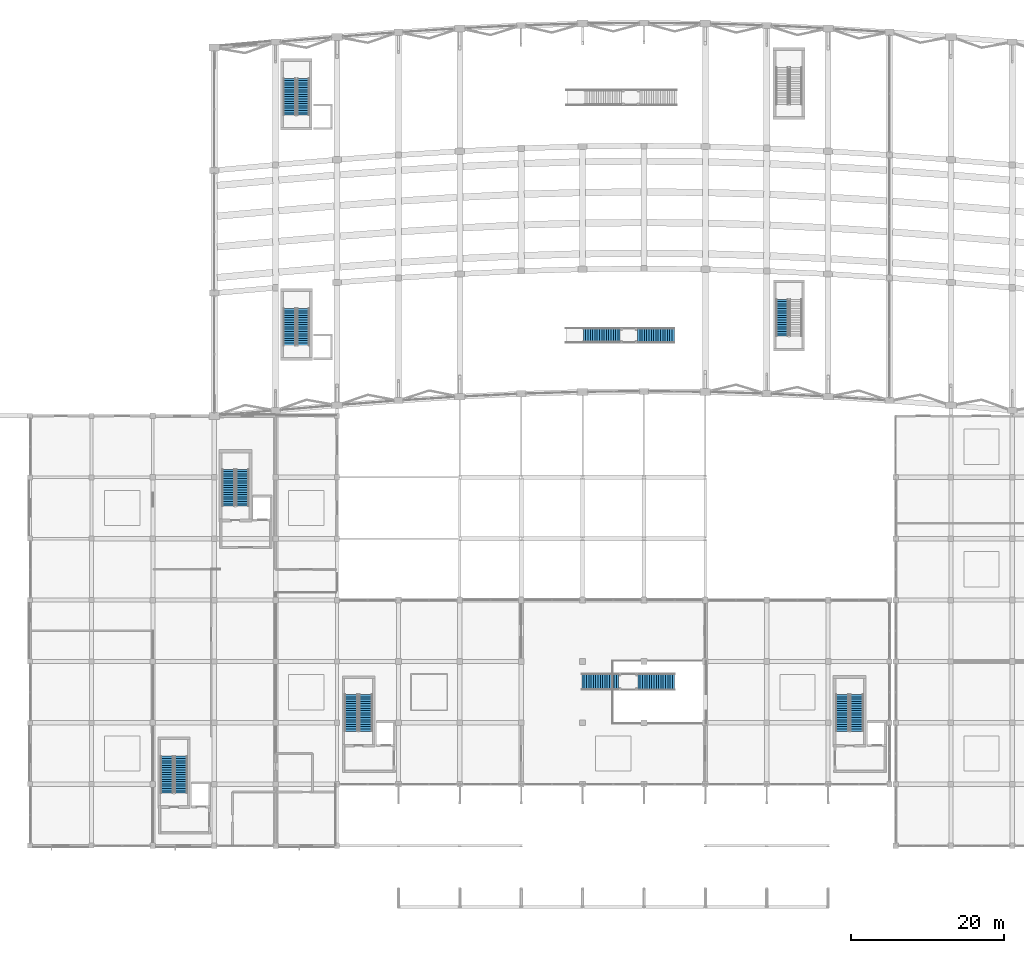
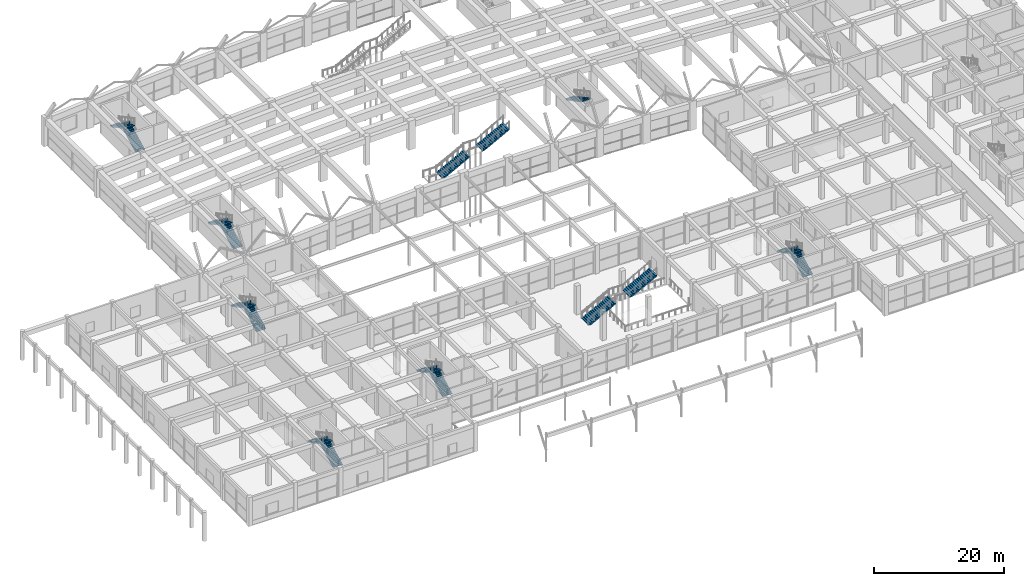
# One storey, part 53 of 69: 17 stair flights, 9 elements without a shape of their own.
"""IFC4 building model written with IfcOpenShell, lengths in metres."""

from ifc_helpers import new_model, si_unit, direction, frame, origin, place, context, subcontext, project, spatial, polyline, outline, extrude, material, layer, layer_set, type_object, element, aggregate, save


model = new_model("IFC4")

# Units and contexts
model_context = context("Model", 3, precision=1e-05, world=origin(), true_north=direction((0.0, 1.0)))
body_context = subcontext(model_context, "Body", "Model", "MODEL_VIEW")
ifc_project = project(units=[si_unit("LENGTHUNIT", "METRE"), si_unit("AREAUNIT", "SQUARE_METRE"), si_unit("VOLUMEUNIT", "CUBIC_METRE"), si_unit("PLANEANGLEUNIT", "RADIAN"), si_unit("MASSUNIT", "GRAM", prefix="KILO")], contexts=[model_context])

# Site, building, storey
site_placement = place(None, origin())
site = spatial("IfcSite", under=ifc_project, at=site_placement, CompositionType="ELEMENT")
building_placement = place(site_placement, origin())
building = spatial("IfcBuilding", under=site, at=building_placement, Name="Kenh Van Central Station", CompositionType="ELEMENT")
storey_placement = place(building_placement, frame((0.0, 0.0, 5.39990234375)))
storey = spatial("IfcBuildingStorey", under=building, at=storey_placement, Name="L01", CompositionType="ELEMENT", Elevation=5.39990234375)

# Stair, stair flights
ifc_material_1 = material(Name="Concrete C35/45", Category="concrete")
stair_type_1 = type_object("IfcStairType", Name="STR-DLG-1600", PredefinedType="HALF_TURN_STAIR", material=ifc_material_1)
stair_1_placement = place(storey_placement, origin())
stair_1 = element("IfcStair", 1, at=stair_1_placement, inside=storey, type_object=stair_type_1, Name="L01 Island Platform 1 West Evacuation Core", PredefinedType="HALF_TURN_STAIR")
ifc_layer_1 = layer(ifc_material_1, 0.179931640625, Name="Concrete C35/45")
ifc_layer_set_1 = layer_set([ifc_layer_1], Name="Concrete C35/45")
stair_flight_type_1 = type_object("IfcStairFlightType", Name="FLT-DLG-1600", PredefinedType="STRAIGHT", material=ifc_layer_set_1)
stair_flight_1_placement = place(storey_placement, frame((43.60009765625, 73.199951171875, 0.0), z_axis=(0.0, 0.0, 1.0), x_axis=(0.0, 1.0, 0.0)))
stair_flight_1 = element("IfcStairFlight", 2, at=stair_flight_1_placement, type_object=stair_flight_type_1, Name="ST-05 flight 1", NumberOfRisers=17, NumberOfTreads=16, PredefinedType="STRAIGHT", RiserHeight=0.158823529, TreadLength=0.3, context=body_context, shape_type="SweptSolid", body=[
    extrude(outline(polyline([(0.0, 0.0), (0.0, 0.158935546875), (0.300048828125, 0.158935546875), (0.300048828125, 0.317626953125), (0.60009765625, 0.317626953125), (0.60009765625, 0.4765625), (0.89990234375, 0.4765625), (0.89990234375, 0.63525390625), (1.199951171875, 0.63525390625), (1.199951171875, 0.794189453125), (1.5, 0.794189453125), (1.5, 0.952880859375), (1.800048828125, 0.952880859375), (1.800048828125, 1.11181640625), (2.10009765625, 1.11181640625), (2.10009765625, 1.2705078125), (2.39990234375, 1.2705078125), (2.39990234375, 1.429443359375), (2.699951171875, 1.429443359375), (2.699951171875, 1.588134765625), (3.0, 1.588134765625), (3.0, 1.7470703125), (3.300048828125, 1.7470703125), (3.300048828125, 1.90576171875), (3.60009765625, 1.90576171875), (3.60009765625, 2.064697265625), (3.89990234375, 2.064697265625), (3.89990234375, 2.2236328125), (4.199951171875, 2.2236328125), (4.199951171875, 2.38232421875), (4.5, 2.38232421875), (4.5, 2.541259765625), (4.800048828125, 2.541259765625), (4.800048828125, 2.699951171875), (4.800048828125, 2.337646484375), (0.384521484375, 0.0), (0.0, 0.0)])), frame((0.0, 0.800048828125, 0.0), z_axis=(0.0, -1.0, 0.0), x_axis=(1.0, 0.0, 0.0)), (0.0, 0.0, 1.0), 1.60009765625),
])
stair_flight_2_placement = place(storey_placement, frame((41.800048828125, 78.0, 2.7001953125), z_axis=(0.0, 0.0, 1.0), x_axis=(0.0, -1.0, 0.0)))
stair_flight_2 = element("IfcStairFlight", 3, at=stair_flight_2_placement, type_object=stair_flight_type_1, Name="ST-05 flight 2", NumberOfRisers=17, NumberOfTreads=16, PredefinedType="STRAIGHT", RiserHeight=0.158823529, TreadLength=0.3, context=body_context, shape_type="SweptSolid", body=[
    extrude(outline(polyline([(0.0, 0.0), (0.0, 0.158935546875), (0.300048828125, 0.158935546875), (0.300048828125, 0.317626953125), (0.60009765625, 0.317626953125), (0.60009765625, 0.4765625), (0.89990234375, 0.4765625), (0.89990234375, 0.63525390625), (1.199951171875, 0.63525390625), (1.199951171875, 0.794189453125), (1.5, 0.794189453125), (1.5, 0.952880859375), (1.800048828125, 0.952880859375), (1.800048828125, 1.11181640625), (2.10009765625, 1.11181640625), (2.10009765625, 1.2705078125), (2.39990234375, 1.2705078125), (2.39990234375, 1.429443359375), (2.699951171875, 1.429443359375), (2.699951171875, 1.588134765625), (3.0, 1.588134765625), (3.0, 1.7470703125), (3.300048828125, 1.7470703125), (3.300048828125, 1.90576171875), (3.60009765625, 1.90576171875), (3.60009765625, 2.064697265625), (3.89990234375, 2.064697265625), (3.89990234375, 2.2236328125), (4.199951171875, 2.2236328125), (4.199951171875, 2.38232421875), (4.5, 2.38232421875), (4.5, 2.541259765625), (4.800048828125, 2.541259765625), (4.800048828125, 2.699951171875), (4.800048828125, 2.337646484375), (0.384521484375, 0.0), (0.0, 0.0)])), frame((0.0, 0.800048828125, 0.0), z_axis=(0.0, -1.0, 0.0), x_axis=(1.0, 0.0, 0.0)), (0.0, 0.0, 1.0), 1.60009765625),
])
aggregate(stair_1, [stair_flight_1, stair_flight_2])

# Stair, stair flight
stair_2_placement = place(storey_placement, origin())
stair_2 = element("IfcStair", 4, at=stair_2_placement, inside=storey, type_object=stair_type_1, Name="L01 Island Platform 1 East Evacuation Core", PredefinedType="HALF_TURN_STAIR")
stair_flight_3_placement = place(storey_placement, frame((106.0, 79.199951171875, 2.7001953125), z_axis=(0.0, 0.0, 1.0), x_axis=(0.0, -1.0, 0.0)))
stair_flight_3 = element("IfcStairFlight", 5, at=stair_flight_3_placement, type_object=stair_flight_type_1, Name="ST-06 flight 2", NumberOfRisers=17, NumberOfTreads=16, PredefinedType="STRAIGHT", RiserHeight=0.158823529, TreadLength=0.3, context=body_context, shape_type="SweptSolid", body=[
    extrude(outline(polyline([(0.0, 0.0), (0.0, 0.158935546875), (0.300048828125, 0.158935546875), (0.300048828125, 0.317626953125), (0.60009765625, 0.317626953125), (0.60009765625, 0.4765625), (0.89990234375, 0.4765625), (0.89990234375, 0.63525390625), (1.199951171875, 0.63525390625), (1.199951171875, 0.794189453125), (1.5, 0.794189453125), (1.5, 0.952880859375), (1.800048828125, 0.952880859375), (1.800048828125, 1.11181640625), (2.10009765625, 1.11181640625), (2.10009765625, 1.2705078125), (2.39990234375, 1.2705078125), (2.39990234375, 1.429443359375), (2.699951171875, 1.429443359375), (2.699951171875, 1.588134765625), (3.0, 1.588134765625), (3.0, 1.7470703125), (3.300048828125, 1.7470703125), (3.300048828125, 1.90576171875), (3.60009765625, 1.90576171875), (3.60009765625, 2.064697265625), (3.89990234375, 2.064697265625), (3.89990234375, 2.2236328125), (4.199951171875, 2.2236328125), (4.199951171875, 2.38232421875), (4.5, 2.38232421875), (4.5, 2.541259765625), (4.800048828125, 2.541259765625), (4.800048828125, 2.699951171875), (4.800048828125, 2.337646484375), (0.384521484375, 0.0), (0.0, 0.0)])), frame((0.0, 0.800048828125, 0.0), z_axis=(0.0, -1.0, 0.0), x_axis=(1.0, 0.0, 0.0)), (0.0, 0.0, 1.0), 1.60009765625),
])
aggregate(stair_2, [stair_flight_3])

# Stair, stair flights
stair_3_placement = place(storey_placement, origin())
stair_3 = element("IfcStair", 6, at=stair_3_placement, inside=storey, type_object=stair_type_1, Name="L01 Island Platform 2 West Evacuation Core", PredefinedType="HALF_TURN_STAIR")
stair_flight_4_placement = place(storey_placement, frame((43.60009765625, 103.199951171875, 0.0), z_axis=(0.0, 0.0, 1.0), x_axis=(0.0, 1.0, 0.0)))
stair_flight_4 = element("IfcStairFlight", 7, at=stair_flight_4_placement, type_object=stair_flight_type_1, Name="ST-07 flight 1", NumberOfRisers=17, NumberOfTreads=16, PredefinedType="STRAIGHT", RiserHeight=0.158823529, TreadLength=0.3, context=body_context, shape_type="SweptSolid", body=[
    extrude(outline(polyline([(0.0, 0.0), (0.0, 0.158935546875), (0.300048828125, 0.158935546875), (0.300048828125, 0.317626953125), (0.60009765625, 0.317626953125), (0.60009765625, 0.4765625), (0.89990234375, 0.4765625), (0.89990234375, 0.63525390625), (1.199951171875, 0.63525390625), (1.199951171875, 0.794189453125), (1.5, 0.794189453125), (1.5, 0.952880859375), (1.800048828125, 0.952880859375), (1.800048828125, 1.11181640625), (2.10009765625, 1.11181640625), (2.10009765625, 1.2705078125), (2.39990234375, 1.2705078125), (2.39990234375, 1.429443359375), (2.699951171875, 1.429443359375), (2.699951171875, 1.588134765625), (3.0, 1.588134765625), (3.0, 1.7470703125), (3.300048828125, 1.7470703125), (3.300048828125, 1.90576171875), (3.60009765625, 1.90576171875), (3.60009765625, 2.064697265625), (3.89990234375, 2.064697265625), (3.89990234375, 2.2236328125), (4.199951171875, 2.2236328125), (4.199951171875, 2.38232421875), (4.5, 2.38232421875), (4.5, 2.541259765625), (4.800048828125, 2.541259765625), (4.800048828125, 2.699951171875), (4.800048828125, 2.337646484375), (0.384521484375, 0.0), (0.0, 0.0)])), frame((0.0, 0.800048828125, 0.0), z_axis=(0.0, -1.0, 0.0), x_axis=(1.0, 0.0, 0.0)), (0.0, 0.0, 1.0), 1.60009765625),
])
stair_flight_5_placement = place(storey_placement, frame((41.800048828125, 108.0, 2.7001953125), z_axis=(0.0, 0.0, 1.0), x_axis=(0.0, -1.0, 0.0)))
stair_flight_5 = element("IfcStairFlight", 8, at=stair_flight_5_placement, type_object=stair_flight_type_1, Name="ST-07 flight 2", NumberOfRisers=17, NumberOfTreads=16, PredefinedType="STRAIGHT", RiserHeight=0.158823529, TreadLength=0.3, context=body_context, shape_type="SweptSolid", body=[
    extrude(outline(polyline([(0.0, 0.0), (0.0, 0.158935546875), (0.300048828125, 0.158935546875), (0.300048828125, 0.317626953125), (0.60009765625, 0.317626953125), (0.60009765625, 0.4765625), (0.89990234375, 0.4765625), (0.89990234375, 0.63525390625), (1.199951171875, 0.63525390625), (1.199951171875, 0.794189453125), (1.5, 0.794189453125), (1.5, 0.952880859375), (1.800048828125, 0.952880859375), (1.800048828125, 1.11181640625), (2.10009765625, 1.11181640625), (2.10009765625, 1.2705078125), (2.39990234375, 1.2705078125), (2.39990234375, 1.429443359375), (2.699951171875, 1.429443359375), (2.699951171875, 1.588134765625), (3.0, 1.588134765625), (3.0, 1.7470703125), (3.300048828125, 1.7470703125), (3.300048828125, 1.90576171875), (3.60009765625, 1.90576171875), (3.60009765625, 2.064697265625), (3.89990234375, 2.064697265625), (3.89990234375, 2.2236328125), (4.199951171875, 2.2236328125), (4.199951171875, 2.38232421875), (4.5, 2.38232421875), (4.5, 2.541259765625), (4.800048828125, 2.541259765625), (4.800048828125, 2.699951171875), (4.800048828125, 2.337646484375), (0.384521484375, 0.0), (0.0, 0.0)])), frame((0.0, 0.800048828125, 0.0), z_axis=(0.0, -1.0, 0.0), x_axis=(1.0, 0.0, 0.0)), (0.0, 0.0, 1.0), 1.60009765625),
])
aggregate(stair_3, [stair_flight_4, stair_flight_5])

stair_type_2 = type_object("IfcStairType", Name="STR-DLG-1650", PredefinedType="HALF_TURN_STAIR", material=ifc_material_1)
stair_4_placement = place(storey_placement, origin())
stair_4 = element("IfcStair", 9, at=stair_4_placement, inside=storey, type_object=stair_type_2, Name="L01 West Retail South Exit Core", PredefinedType="HALF_TURN_STAIR")
ifc_layer_2 = layer(ifc_material_1, 0.179931640625, Name="Concrete C35/45")
ifc_layer_set_2 = layer_set([ifc_layer_2], Name="Concrete C35/45")
stair_flight_type_2 = type_object("IfcStairFlightType", Name="FLT-DLG-1650", PredefinedType="STRAIGHT", material=ifc_layer_set_2)
stair_flight_6_placement = place(storey_placement, frame((27.675048828125, 14.85009765625, 0.0), z_axis=(0.0, 0.0, 1.0), x_axis=(0.0, 1.0, 0.0)))
stair_flight_6 = element("IfcStairFlight", 10, at=stair_flight_6_placement, type_object=stair_flight_type_2, Name="ST-01 flight 1", NumberOfRisers=17, NumberOfTreads=16, PredefinedType="STRAIGHT", RiserHeight=0.158823529, TreadLength=0.3, context=body_context, shape_type="SweptSolid", body=[
    extrude(outline(polyline([(0.0, 0.0), (0.0, 0.158935546875), (0.300048828125, 0.158935546875), (0.300048828125, 0.317626953125), (0.60009765625, 0.317626953125), (0.60009765625, 0.4765625), (0.89990234375, 0.4765625), (0.89990234375, 0.63525390625), (1.199951171875, 0.63525390625), (1.199951171875, 0.794189453125), (1.5, 0.794189453125), (1.5, 0.952880859375), (1.800048828125, 0.952880859375), (1.800048828125, 1.11181640625), (2.10009765625, 1.11181640625), (2.10009765625, 1.2705078125), (2.39990234375, 1.2705078125), (2.39990234375, 1.429443359375), (2.699951171875, 1.429443359375), (2.699951171875, 1.588134765625), (3.0, 1.588134765625), (3.0, 1.7470703125), (3.300048828125, 1.7470703125), (3.300048828125, 1.90576171875), (3.60009765625, 1.90576171875), (3.60009765625, 2.064697265625), (3.89990234375, 2.064697265625), (3.89990234375, 2.2236328125), (4.199951171875, 2.2236328125), (4.199951171875, 2.38232421875), (4.5, 2.38232421875), (4.5, 2.541259765625), (4.800048828125, 2.541259765625), (4.800048828125, 2.699951171875), (4.800048828125, 2.337646484375), (0.384521484375, 0.0), (0.0, 0.0)])), frame((0.0, 0.824951171875, 0.0), z_axis=(0.0, -1.0, 0.0), x_axis=(1.0, 0.0, 0.0)), (0.0, 0.0, 1.0), 1.64990234375),
])
stair_flight_7_placement = place(storey_placement, frame((25.824951171875, 19.64990234375, 2.7001953125), z_axis=(0.0, 0.0, 1.0), x_axis=(0.0, -1.0, 0.0)))
stair_flight_7 = element("IfcStairFlight", 11, at=stair_flight_7_placement, type_object=stair_flight_type_2, Name="ST-01 flight 2", NumberOfRisers=17, NumberOfTreads=16, PredefinedType="STRAIGHT", RiserHeight=0.158823529, TreadLength=0.3, context=body_context, shape_type="SweptSolid", body=[
    extrude(outline(polyline([(0.0, 0.0), (0.0, 0.158935546875), (0.300048828125, 0.158935546875), (0.300048828125, 0.317626953125), (0.60009765625, 0.317626953125), (0.60009765625, 0.4765625), (0.89990234375, 0.4765625), (0.89990234375, 0.63525390625), (1.199951171875, 0.63525390625), (1.199951171875, 0.794189453125), (1.5, 0.794189453125), (1.5, 0.952880859375), (1.800048828125, 0.952880859375), (1.800048828125, 1.11181640625), (2.10009765625, 1.11181640625), (2.10009765625, 1.2705078125), (2.39990234375, 1.2705078125), (2.39990234375, 1.429443359375), (2.699951171875, 1.429443359375), (2.699951171875, 1.588134765625), (3.0, 1.588134765625), (3.0, 1.7470703125), (3.300048828125, 1.7470703125), (3.300048828125, 1.90576171875), (3.60009765625, 1.90576171875), (3.60009765625, 2.064697265625), (3.89990234375, 2.064697265625), (3.89990234375, 2.2236328125), (4.199951171875, 2.2236328125), (4.199951171875, 2.38232421875), (4.5, 2.38232421875), (4.5, 2.541259765625), (4.800048828125, 2.541259765625), (4.800048828125, 2.699951171875), (4.800048828125, 2.337646484375), (0.384521484375, 0.0), (0.0, 0.0)])), frame((0.0, 0.824951171875, 0.0), z_axis=(0.0, -1.0, 0.0), x_axis=(1.0, 0.0, 0.0)), (0.0, 0.0, 1.0), 1.64990234375),
])
aggregate(stair_4, [stair_flight_6, stair_flight_7])

stair_5_placement = place(storey_placement, origin())
stair_5 = element("IfcStair", 12, at=stair_5_placement, inside=storey, type_object=stair_type_2, Name="L01 West Retail North Exit Core", PredefinedType="HALF_TURN_STAIR")
stair_flight_8_placement = place(storey_placement, frame((35.675048828125, 52.25, 0.0), z_axis=(0.0, 0.0, 1.0), x_axis=(0.0, 1.0, 0.0)))
stair_flight_8 = element("IfcStairFlight", 13, at=stair_flight_8_placement, type_object=stair_flight_type_2, Name="ST-02 flight 1", NumberOfRisers=17, NumberOfTreads=16, PredefinedType="STRAIGHT", RiserHeight=0.158823529, TreadLength=0.3, context=body_context, shape_type="SweptSolid", body=[
    extrude(outline(polyline([(0.0, 0.0), (0.0, 0.158935546875), (0.300048828125, 0.158935546875), (0.300048828125, 0.317626953125), (0.60009765625, 0.317626953125), (0.60009765625, 0.4765625), (0.89990234375, 0.4765625), (0.89990234375, 0.63525390625), (1.199951171875, 0.63525390625), (1.199951171875, 0.794189453125), (1.5, 0.794189453125), (1.5, 0.952880859375), (1.800048828125, 0.952880859375), (1.800048828125, 1.11181640625), (2.10009765625, 1.11181640625), (2.10009765625, 1.2705078125), (2.39990234375, 1.2705078125), (2.39990234375, 1.429443359375), (2.699951171875, 1.429443359375), (2.699951171875, 1.588134765625), (3.0, 1.588134765625), (3.0, 1.7470703125), (3.300048828125, 1.7470703125), (3.300048828125, 1.90576171875), (3.60009765625, 1.90576171875), (3.60009765625, 2.064697265625), (3.89990234375, 2.064697265625), (3.89990234375, 2.2236328125), (4.199951171875, 2.2236328125), (4.199951171875, 2.38232421875), (4.5, 2.38232421875), (4.5, 2.541259765625), (4.800048828125, 2.541259765625), (4.800048828125, 2.699951171875), (4.800048828125, 2.337646484375), (0.384521484375, 0.0), (0.0, 0.0)])), frame((0.0, 0.824951171875, 0.0), z_axis=(0.0, -1.0, 0.0), x_axis=(1.0, 0.0, 0.0)), (0.0, 0.0, 1.0), 1.64990234375),
])
stair_flight_9_placement = place(storey_placement, frame((33.824951171875, 57.050048828125, 2.7001953125), z_axis=(0.0, 0.0, 1.0), x_axis=(0.0, -1.0, 0.0)))
stair_flight_9 = element("IfcStairFlight", 14, at=stair_flight_9_placement, type_object=stair_flight_type_2, Name="ST-02 flight 2", NumberOfRisers=17, NumberOfTreads=16, PredefinedType="STRAIGHT", RiserHeight=0.158823529, TreadLength=0.3, context=body_context, shape_type="SweptSolid", body=[
    extrude(outline(polyline([(0.0, 0.0), (0.0, 0.158935546875), (0.300048828125, 0.158935546875), (0.300048828125, 0.317626953125), (0.60009765625, 0.317626953125), (0.60009765625, 0.4765625), (0.89990234375, 0.4765625), (0.89990234375, 0.63525390625), (1.199951171875, 0.63525390625), (1.199951171875, 0.794189453125), (1.5, 0.794189453125), (1.5, 0.952880859375), (1.800048828125, 0.952880859375), (1.800048828125, 1.11181640625), (2.10009765625, 1.11181640625), (2.10009765625, 1.2705078125), (2.39990234375, 1.2705078125), (2.39990234375, 1.429443359375), (2.699951171875, 1.429443359375), (2.699951171875, 1.588134765625), (3.0, 1.588134765625), (3.0, 1.7470703125), (3.300048828125, 1.7470703125), (3.300048828125, 1.90576171875), (3.60009765625, 1.90576171875), (3.60009765625, 2.064697265625), (3.89990234375, 2.064697265625), (3.89990234375, 2.2236328125), (4.199951171875, 2.2236328125), (4.199951171875, 2.38232421875), (4.5, 2.38232421875), (4.5, 2.541259765625), (4.800048828125, 2.541259765625), (4.800048828125, 2.699951171875), (4.800048828125, 2.337646484375), (0.384521484375, 0.0), (0.0, 0.0)])), frame((0.0, 0.824951171875, 0.0), z_axis=(0.0, -1.0, 0.0), x_axis=(1.0, 0.0, 0.0)), (0.0, 0.0, 1.0), 1.64990234375),
])
aggregate(stair_5, [stair_flight_8, stair_flight_9])

stair_type_3 = type_object("IfcStairType", Name="STR-DLG-1700", PredefinedType="HALF_TURN_STAIR", material=ifc_material_1)
stair_6_placement = place(storey_placement, origin())
stair_6 = element("IfcStair", 15, at=stair_6_placement, inside=storey, type_object=stair_type_3, Name="L01 Ticket Hall West Exit Core", PredefinedType="HALF_TURN_STAIR")
ifc_layer_3 = layer(ifc_material_1, 0.179931640625, Name="Concrete C35/45")
ifc_layer_set_3 = layer_set([ifc_layer_3], Name="Concrete C35/45")
stair_flight_type_3 = type_object("IfcStairFlightType", Name="FLT-DLG-1700", PredefinedType="STRAIGHT", material=ifc_layer_set_3)
stair_flight_10_placement = place(storey_placement, frame((51.75, 22.89990234375, 0.0), z_axis=(0.0, 0.0, 1.0), x_axis=(0.0, 1.0, 0.0)))
stair_flight_10 = element("IfcStairFlight", 16, at=stair_flight_10_placement, type_object=stair_flight_type_3, Name="ST-03 flight 1", NumberOfRisers=17, NumberOfTreads=16, PredefinedType="STRAIGHT", RiserHeight=0.158823529, TreadLength=0.3, context=body_context, shape_type="SweptSolid", body=[
    extrude(outline(polyline([(0.0, 0.0), (0.0, 0.158935546875), (0.300048828125, 0.158935546875), (0.300048828125, 0.317626953125), (0.60009765625, 0.317626953125), (0.60009765625, 0.4765625), (0.89990234375, 0.4765625), (0.89990234375, 0.63525390625), (1.199951171875, 0.63525390625), (1.199951171875, 0.794189453125), (1.5, 0.794189453125), (1.5, 0.952880859375), (1.800048828125, 0.952880859375), (1.800048828125, 1.11181640625), (2.10009765625, 1.11181640625), (2.10009765625, 1.2705078125), (2.39990234375, 1.2705078125), (2.39990234375, 1.429443359375), (2.699951171875, 1.429443359375), (2.699951171875, 1.588134765625), (3.0, 1.588134765625), (3.0, 1.7470703125), (3.300048828125, 1.7470703125), (3.300048828125, 1.90576171875), (3.60009765625, 1.90576171875), (3.60009765625, 2.064697265625), (3.89990234375, 2.064697265625), (3.89990234375, 2.2236328125), (4.199951171875, 2.2236328125), (4.199951171875, 2.38232421875), (4.5, 2.38232421875), (4.5, 2.541259765625), (4.800048828125, 2.541259765625), (4.800048828125, 2.699951171875), (4.800048828125, 2.337646484375), (0.384521484375, 0.0), (0.0, 0.0)])), frame((0.0, 0.85009765625, 0.0), z_axis=(0.0, -1.0, 0.0), x_axis=(1.0, 0.0, 0.0)), (0.0, 0.0, 1.0), 1.699951171875),
])
stair_flight_11_placement = place(storey_placement, frame((49.85009765625, 27.699951171875, 2.7001953125), z_axis=(0.0, 0.0, 1.0), x_axis=(0.0, -1.0, 0.0)))
stair_flight_11 = element("IfcStairFlight", 17, at=stair_flight_11_placement, type_object=stair_flight_type_3, Name="ST-03 flight 2", NumberOfRisers=17, NumberOfTreads=16, PredefinedType="STRAIGHT", RiserHeight=0.158823529, TreadLength=0.3, context=body_context, shape_type="SweptSolid", body=[
    extrude(outline(polyline([(0.0, 0.0), (0.0, 0.158935546875), (0.300048828125, 0.158935546875), (0.300048828125, 0.317626953125), (0.60009765625, 0.317626953125), (0.60009765625, 0.4765625), (0.89990234375, 0.4765625), (0.89990234375, 0.63525390625), (1.199951171875, 0.63525390625), (1.199951171875, 0.794189453125), (1.5, 0.794189453125), (1.5, 0.952880859375), (1.800048828125, 0.952880859375), (1.800048828125, 1.11181640625), (2.10009765625, 1.11181640625), (2.10009765625, 1.2705078125), (2.39990234375, 1.2705078125), (2.39990234375, 1.429443359375), (2.699951171875, 1.429443359375), (2.699951171875, 1.588134765625), (3.0, 1.588134765625), (3.0, 1.7470703125), (3.300048828125, 1.7470703125), (3.300048828125, 1.90576171875), (3.60009765625, 1.90576171875), (3.60009765625, 2.064697265625), (3.89990234375, 2.064697265625), (3.89990234375, 2.2236328125), (4.199951171875, 2.2236328125), (4.199951171875, 2.38232421875), (4.5, 2.38232421875), (4.5, 2.541259765625), (4.800048828125, 2.541259765625), (4.800048828125, 2.699951171875), (4.800048828125, 2.337646484375), (0.384521484375, 0.0), (0.0, 0.0)])), frame((0.0, 0.85009765625, 0.0), z_axis=(0.0, -1.0, 0.0), x_axis=(1.0, 0.0, 0.0)), (0.0, 0.0, 1.0), 1.699951171875),
])
aggregate(stair_6, [stair_flight_10, stair_flight_11])

stair_7_placement = place(storey_placement, origin())
stair_7 = element("IfcStair", 18, at=stair_7_placement, inside=storey, type_object=stair_type_3, Name="L01 Ticket Hall East Exit Core", PredefinedType="HALF_TURN_STAIR")
stair_flight_12_placement = place(storey_placement, frame((115.75, 22.89990234375, 0.0), z_axis=(0.0, 0.0, 1.0), x_axis=(0.0, 1.0, 0.0)))
stair_flight_12 = element("IfcStairFlight", 19, at=stair_flight_12_placement, type_object=stair_flight_type_3, Name="ST-04 flight 1", NumberOfRisers=17, NumberOfTreads=16, PredefinedType="STRAIGHT", RiserHeight=0.158823529, TreadLength=0.3, context=body_context, shape_type="SweptSolid", body=[
    extrude(outline(polyline([(0.0, 0.0), (0.0, 0.158935546875), (0.300048828125, 0.158935546875), (0.300048828125, 0.317626953125), (0.60009765625, 0.317626953125), (0.60009765625, 0.4765625), (0.89990234375, 0.4765625), (0.89990234375, 0.63525390625), (1.199951171875, 0.63525390625), (1.199951171875, 0.794189453125), (1.5, 0.794189453125), (1.5, 0.952880859375), (1.800048828125, 0.952880859375), (1.800048828125, 1.11181640625), (2.10009765625, 1.11181640625), (2.10009765625, 1.2705078125), (2.39990234375, 1.2705078125), (2.39990234375, 1.429443359375), (2.699951171875, 1.429443359375), (2.699951171875, 1.588134765625), (3.0, 1.588134765625), (3.0, 1.7470703125), (3.300048828125, 1.7470703125), (3.300048828125, 1.90576171875), (3.60009765625, 1.90576171875), (3.60009765625, 2.064697265625), (3.89990234375, 2.064697265625), (3.89990234375, 2.2236328125), (4.199951171875, 2.2236328125), (4.199951171875, 2.38232421875), (4.5, 2.38232421875), (4.5, 2.541259765625), (4.800048828125, 2.541259765625), (4.800048828125, 2.699951171875), (4.800048828125, 2.337646484375), (0.384521484375, 0.0), (0.0, 0.0)])), frame((0.0, 0.85009765625, 0.0), z_axis=(0.0, -1.0, 0.0), x_axis=(1.0, 0.0, 0.0)), (0.0, 0.0, 1.0), 1.699951171875),
])
stair_flight_13_placement = place(storey_placement, frame((113.85009765625, 27.699951171875, 2.7001953125), z_axis=(0.0, 0.0, 1.0), x_axis=(0.0, -1.0, 0.0)))
stair_flight_13 = element("IfcStairFlight", 20, at=stair_flight_13_placement, type_object=stair_flight_type_3, Name="ST-04 flight 2", NumberOfRisers=17, NumberOfTreads=16, PredefinedType="STRAIGHT", RiserHeight=0.158823529, TreadLength=0.3, context=body_context, shape_type="SweptSolid", body=[
    extrude(outline(polyline([(0.0, 0.0), (0.0, 0.158935546875), (0.300048828125, 0.158935546875), (0.300048828125, 0.317626953125), (0.60009765625, 0.317626953125), (0.60009765625, 0.4765625), (0.89990234375, 0.4765625), (0.89990234375, 0.63525390625), (1.199951171875, 0.63525390625), (1.199951171875, 0.794189453125), (1.5, 0.794189453125), (1.5, 0.952880859375), (1.800048828125, 0.952880859375), (1.800048828125, 1.11181640625), (2.10009765625, 1.11181640625), (2.10009765625, 1.2705078125), (2.39990234375, 1.2705078125), (2.39990234375, 1.429443359375), (2.699951171875, 1.429443359375), (2.699951171875, 1.588134765625), (3.0, 1.588134765625), (3.0, 1.7470703125), (3.300048828125, 1.7470703125), (3.300048828125, 1.90576171875), (3.60009765625, 1.90576171875), (3.60009765625, 2.064697265625), (3.89990234375, 2.064697265625), (3.89990234375, 2.2236328125), (4.199951171875, 2.2236328125), (4.199951171875, 2.38232421875), (4.5, 2.38232421875), (4.5, 2.541259765625), (4.800048828125, 2.541259765625), (4.800048828125, 2.699951171875), (4.800048828125, 2.337646484375), (0.384521484375, 0.0), (0.0, 0.0)])), frame((0.0, 0.85009765625, 0.0), z_axis=(0.0, -1.0, 0.0), x_axis=(1.0, 0.0, 0.0)), (0.0, 0.0, 1.0), 1.699951171875),
])
aggregate(stair_7, [stair_flight_12, stair_flight_13])

ifc_material_2 = material(Name="Concrete C40/50", Category="concrete")
stair_type_4 = type_object("IfcStairType", Name="STR-PUB-1950", PredefinedType="STRAIGHT_RUN_STAIR", material=ifc_material_2)
stair_8_placement = place(storey_placement, origin())
stair_8 = element("IfcStair", 21, at=stair_8_placement, inside=storey, type_object=stair_type_4, Name="Island Platform 1 Central Transfer Stair", PredefinedType="STRAIGHT_RUN_STAIR")
ifc_layer_4 = layer(ifc_material_2, 0.199951171875, Name="Concrete C40/50")
ifc_layer_set_4 = layer_set([ifc_layer_4], Name="Concrete C40/50")
stair_flight_type_4 = type_object("IfcStairFlightType", Name="FLT-PUB-1950", PredefinedType="STRAIGHT", material=ifc_layer_set_4)
stair_flight_14_placement = place(storey_placement, frame((80.10009765625, 74.5, 0.0), z_axis=(0.0, 0.0, 1.0), x_axis=(1.0, 0.0, 0.0)))
stair_flight_14 = element("IfcStairFlight", 22, at=stair_flight_14_placement, type_object=stair_flight_type_4, Name="ST-P5B flight 1", NumberOfRisers=17, NumberOfTreads=16, PredefinedType="STRAIGHT", RiserHeight=0.158823529, TreadLength=0.3, context=body_context, shape_type="SweptSolid", body=[
    extrude(outline(polyline([(0.0, 0.0), (0.0, 0.158935546875), (0.300048828125, 0.158935546875), (0.300048828125, 0.317626953125), (0.60009765625, 0.317626953125), (0.60009765625, 0.4765625), (0.89990234375, 0.4765625), (0.89990234375, 0.63525390625), (1.199951171875, 0.63525390625), (1.199951171875, 0.794189453125), (1.5, 0.794189453125), (1.5, 0.952880859375), (1.800048828125, 0.952880859375), (1.800048828125, 1.11181640625), (2.10009765625, 1.11181640625), (2.10009765625, 1.2705078125), (2.39990234375, 1.2705078125), (2.39990234375, 1.429443359375), (2.699951171875, 1.429443359375), (2.699951171875, 1.588134765625), (3.0, 1.588134765625), (3.0, 1.7470703125), (3.300048828125, 1.7470703125), (3.300048828125, 1.90576171875), (3.60009765625, 1.90576171875), (3.60009765625, 2.064697265625), (3.89990234375, 2.064697265625), (3.89990234375, 2.2236328125), (4.199951171875, 2.2236328125), (4.199951171875, 2.38232421875), (4.5, 2.38232421875), (4.5, 2.541259765625), (4.800048828125, 2.541259765625), (4.800048828125, 2.699951171875), (4.800048828125, 2.31494140625), (0.42724609375, 0.0), (0.0, 0.0)])), frame((0.0, 0.97509765625, 0.0), z_axis=(0.0, -1.0, 0.0), x_axis=(1.0, 0.0, 0.0)), (0.0, 0.0, 1.0), 1.949951171875),
])
stair_flight_15_placement = place(storey_placement, frame((87.14990234375, 74.5, 2.7001953125), z_axis=(0.0, 0.0, 1.0), x_axis=(1.0, 0.0, 0.0)))
stair_flight_15 = element("IfcStairFlight", 23, at=stair_flight_15_placement, type_object=stair_flight_type_4, Name="ST-P5B flight 2", NumberOfRisers=17, NumberOfTreads=16, PredefinedType="STRAIGHT", RiserHeight=0.158823529, TreadLength=0.3, context=body_context, shape_type="SweptSolid", body=[
    extrude(outline(polyline([(0.0, 0.0), (0.0, 0.158935546875), (0.300048828125, 0.158935546875), (0.300048828125, 0.317626953125), (0.60009765625, 0.317626953125), (0.60009765625, 0.4765625), (0.89990234375, 0.4765625), (0.89990234375, 0.63525390625), (1.199951171875, 0.63525390625), (1.199951171875, 0.794189453125), (1.5, 0.794189453125), (1.5, 0.952880859375), (1.800048828125, 0.952880859375), (1.800048828125, 1.11181640625), (2.10009765625, 1.11181640625), (2.10009765625, 1.2705078125), (2.39990234375, 1.2705078125), (2.39990234375, 1.429443359375), (2.699951171875, 1.429443359375), (2.699951171875, 1.588134765625), (3.0, 1.588134765625), (3.0, 1.7470703125), (3.300048828125, 1.7470703125), (3.300048828125, 1.90576171875), (3.60009765625, 1.90576171875), (3.60009765625, 2.064697265625), (3.89990234375, 2.064697265625), (3.89990234375, 2.2236328125), (4.199951171875, 2.2236328125), (4.199951171875, 2.38232421875), (4.5, 2.38232421875), (4.5, 2.541259765625), (4.800048828125, 2.541259765625), (4.800048828125, 2.699951171875), (4.800048828125, 2.31494140625), (0.42724609375, 0.0), (0.0, 0.0)])), frame((0.0, 0.97509765625, 0.0), z_axis=(0.0, -1.0, 0.0), x_axis=(1.0, 0.0, 0.0)), (0.0, 0.0, 1.0), 1.949951171875),
])
aggregate(stair_8, [stair_flight_14, stair_flight_15])

stair_type_5 = type_object("IfcStairType", Name="STR-PUB-2200", PredefinedType="STRAIGHT_RUN_STAIR", material=ifc_material_2)
stair_9_placement = place(storey_placement, origin())
stair_9 = element("IfcStair", 24, at=stair_9_placement, inside=storey, type_object=stair_type_5, Name="Departure Concourse Paid Bridge Stair", PredefinedType="STRAIGHT_RUN_STAIR")
ifc_layer_5 = layer(ifc_material_2, 0.199951171875, Name="Concrete C40/50")
ifc_layer_set_5 = layer_set([ifc_layer_5], Name="Concrete C40/50")
stair_flight_type_5 = type_object("IfcStairFlightType", Name="FLT-PUB-2200", PredefinedType="STRAIGHT", material=ifc_layer_set_5)
stair_flight_16_placement = place(storey_placement, frame((79.905029296875, 29.35009765625, 0.0), z_axis=(0.0, 0.0, 1.0), x_axis=(1.0, 0.0, 0.0)))
stair_flight_16 = element("IfcStairFlight", 25, at=stair_flight_16_placement, type_object=stair_flight_type_5, Name="ST-P4 flight 1", NumberOfRisers=17, NumberOfTreads=16, PredefinedType="STRAIGHT", RiserHeight=0.158823529, TreadLength=0.3, context=body_context, shape_type="SweptSolid", body=[
    extrude(outline(polyline([(0.0, 0.0), (0.0, 0.158935546875), (0.300048828125, 0.158935546875), (0.300048828125, 0.317626953125), (0.60009765625, 0.317626953125), (0.60009765625, 0.4765625), (0.89990234375, 0.4765625), (0.89990234375, 0.63525390625), (1.199951171875, 0.63525390625), (1.199951171875, 0.794189453125), (1.5, 0.794189453125), (1.5, 0.952880859375), (1.800048828125, 0.952880859375), (1.800048828125, 1.11181640625), (2.10009765625, 1.11181640625), (2.10009765625, 1.2705078125), (2.39990234375, 1.2705078125), (2.39990234375, 1.429443359375), (2.699951171875, 1.429443359375), (2.699951171875, 1.588134765625), (3.0, 1.588134765625), (3.0, 1.7470703125), (3.300048828125, 1.7470703125), (3.300048828125, 1.90576171875), (3.60009765625, 1.90576171875), (3.60009765625, 2.064697265625), (3.89990234375, 2.064697265625), (3.89990234375, 2.2236328125), (4.199951171875, 2.2236328125), (4.199951171875, 2.38232421875), (4.5, 2.38232421875), (4.5, 2.541259765625), (4.800048828125, 2.541259765625), (4.800048828125, 2.699951171875), (4.800048828125, 2.31494140625), (0.42724609375, 0.0), (0.0, 0.0)])), frame((0.0, 1.10009765625, 0.0), z_axis=(0.0, -1.0, 0.0), x_axis=(1.0, 0.0, 0.0)), (0.0, 0.0, 1.0), 2.199951171875),
])
stair_flight_17_placement = place(storey_placement, frame((87.205078125, 29.35009765625, 2.7001953125), z_axis=(0.0, 0.0, 1.0), x_axis=(1.0, 0.0, 0.0)))
stair_flight_17 = element("IfcStairFlight", 26, at=stair_flight_17_placement, type_object=stair_flight_type_5, Name="ST-P4 flight 2", NumberOfRisers=17, NumberOfTreads=16, PredefinedType="STRAIGHT", RiserHeight=0.158823529, TreadLength=0.3, context=body_context, shape_type="SweptSolid", body=[
    extrude(outline(polyline([(0.0, 0.0), (0.0, 0.158935546875), (0.300048828125, 0.158935546875), (0.300048828125, 0.317626953125), (0.60009765625, 0.317626953125), (0.60009765625, 0.4765625), (0.89990234375, 0.4765625), (0.89990234375, 0.63525390625), (1.199951171875, 0.63525390625), (1.199951171875, 0.794189453125), (1.5, 0.794189453125), (1.5, 0.952880859375), (1.800048828125, 0.952880859375), (1.800048828125, 1.11181640625), (2.10009765625, 1.11181640625), (2.10009765625, 1.2705078125), (2.39990234375, 1.2705078125), (2.39990234375, 1.429443359375), (2.699951171875, 1.429443359375), (2.699951171875, 1.588134765625), (3.0, 1.588134765625), (3.0, 1.7470703125), (3.300048828125, 1.7470703125), (3.300048828125, 1.90576171875), (3.60009765625, 1.90576171875), (3.60009765625, 2.064697265625), (3.89990234375, 2.064697265625), (3.89990234375, 2.2236328125), (4.199951171875, 2.2236328125), (4.199951171875, 2.38232421875), (4.5, 2.38232421875), (4.5, 2.541259765625), (4.800048828125, 2.541259765625), (4.800048828125, 2.699951171875), (4.800048828125, 2.31494140625), (0.42724609375, 0.0), (0.0, 0.0)])), frame((0.0, 1.10009765625, 0.0), z_axis=(0.0, -1.0, 0.0), x_axis=(1.0, 0.0, 0.0)), (0.0, 0.0, 1.0), 2.199951171875),
])
aggregate(stair_9, [stair_flight_16, stair_flight_17])

save(model, "model.ifc")
